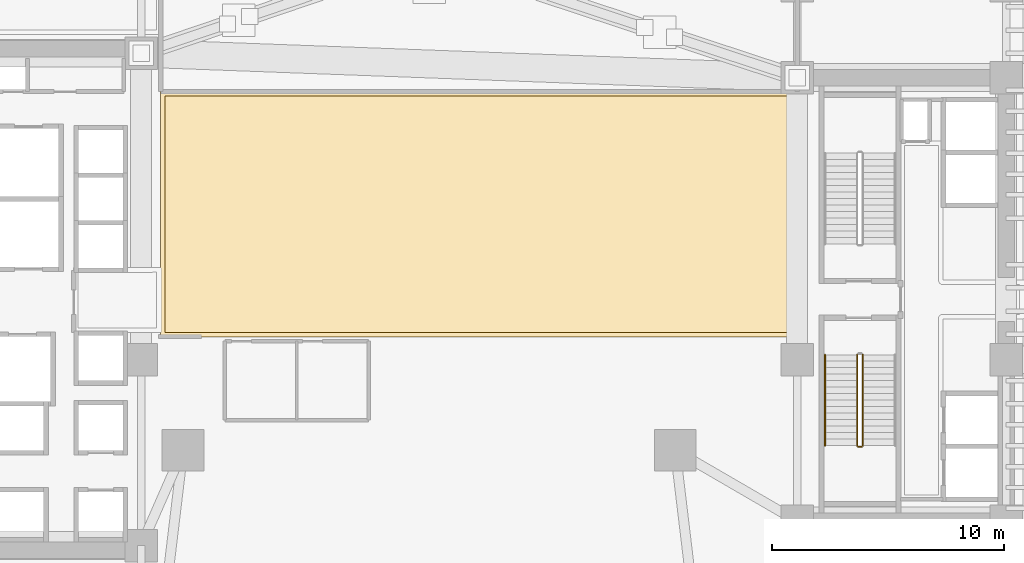
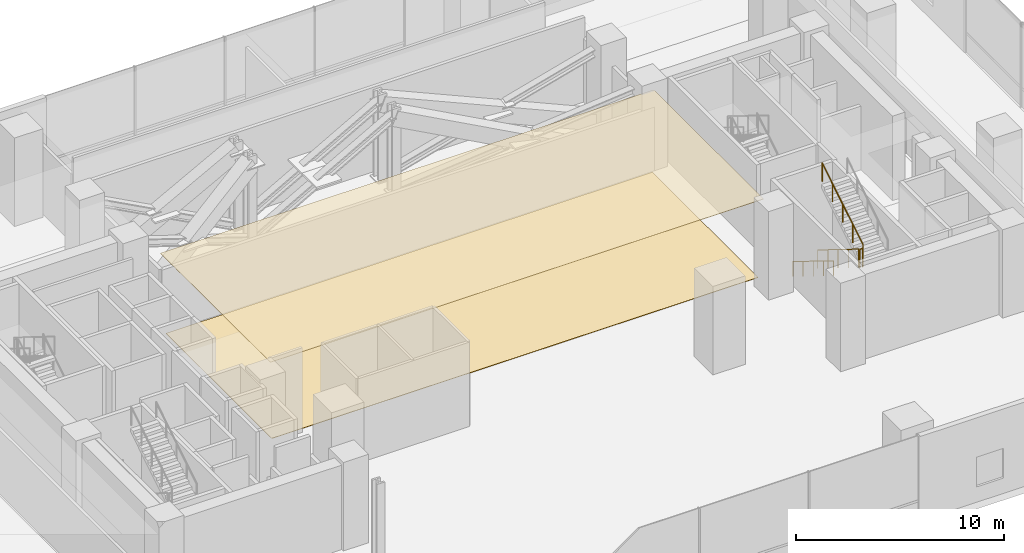
# One storey, part 36 of 41: 4 railings, 2 coverings.
"""IFC4 building model written with IfcOpenShell, lengths in metres."""

from ifc_helpers import new_model, si_unit, direction, frame, origin, origin_2d, place, context, subcontext, project, spatial, polyline, circle, outline, extrude, material, layer, layer_set, type_object, element, save


model = new_model("IFC4")

# Units and contexts
model_context = context("Model", 3, precision=1e-05, world=origin(), true_north=direction((0.0, 1.0)))
body_context = subcontext(model_context, "Body", "Model", "MODEL_VIEW")
ifc_project = project(units=[si_unit("LENGTHUNIT", "METRE"), si_unit("AREAUNIT", "SQUARE_METRE"), si_unit("VOLUMEUNIT", "CUBIC_METRE"), si_unit("PLANEANGLEUNIT", "RADIAN"), si_unit("MASSUNIT", "GRAM", prefix="KILO")], contexts=[model_context])

# Site, building, storey
site_placement = place(None, origin())
site = spatial("IfcSite", under=ifc_project, at=site_placement, CompositionType="ELEMENT")
building_placement = place(site_placement, origin())
building = spatial("IfcBuilding", under=site, at=building_placement, Name="Valdorenza Pilgrim Sanctuary Tower", CompositionType="ELEMENT")
storey_placement = place(building_placement, frame((0.0, 0.0, 20.800048828125)))
storey = spatial("IfcBuildingStorey", under=building, at=storey_placement, Name="L04", CompositionType="ELEMENT", Elevation=20.800048828125)

# Coverings
ifc_material_1 = material(Name="Micro-perforated acoustic mineral ceiling tile", Category="gypsum")
ifc_layer_1 = layer(ifc_material_1, 0.02490234375, Name="Micro-perforated acoustic mineral ceiling tile")
ifc_layer_set_1 = layer_set([ifc_layer_1], Name="Micro-perforated acoustic mineral ceiling tile")
covering_type_1 = type_object("IfcCoveringType", Name="COV-CLG-ACU", PredefinedType="CEILING", material=ifc_layer_set_1)
covering_1_placement = place(storey_placement, frame((0.0, 0.0, 4.659912109375)))
element("IfcCovering", 1, at=covering_1_placement, inside=storey, type_object=covering_type_1, Name="L04 L04 Podium Central Concourse Acoustic Ceiling", PredefinedType="CEILING", context=body_context, shape_type="SweptSolid", body=[
    extrude(outline(polyline([(-11.56298828125, -1.41455078125), (-11.56298828125, 1.344482421875), (-11.56298828125, 1.3447265625), (-11.563720703125, 1.34619140625), (-11.564208984375, 1.347412109375), (-11.564697265625, 1.34912109375), (-11.56494140625, 1.3505859375), (-11.56494140625, 1.35205078125), (-11.56494140625, 7.447998046875), (-11.56494140625, 7.449462890625), (-11.564697265625, 7.45068359375), (-11.564453125, 7.4521484375), (-11.56396484375, 7.45361328125), (-11.563232421875, 7.454833984375), (-11.56298828125, 7.455322265625), (-11.56298828125, 8.949951171875), (-11.56298828125, 8.951416015625), (-11.562744140625, 8.952880859375), (-11.5625, 8.954345703125), (-11.56201171875, 8.955810546875), (-11.561279296875, 8.95703125), (-11.560546875, 8.958251953125), (-11.5595703125, 8.95947265625), (-11.55859375, 8.960693359375), (-11.5576171875, 8.961669921875), (-11.556396484375, 8.96240234375), (-11.55517578125, 8.963134765625), (-11.5537109375, 8.9638671875), (-11.552490234375, 8.96435546875), (-11.55078125, 8.964599609375), (-11.549560546875, 8.96484375), (-11.548095703125, 8.965087890625), (15.85009765625, 8.965087890625), (15.8515625, 8.96484375), (15.852783203125, 8.964599609375), (15.8544921875, 8.96435546875), (15.855712890625, 8.9638671875), (15.857177734375, 8.963134765625), (15.8583984375, 8.96240234375), (15.859619140625, 8.961669921875), (15.860595703125, 8.960693359375), (15.861572265625, 8.95947265625), (15.862548828125, 8.958251953125), (15.86328125, 8.95703125), (15.864013671875, 8.955810546875), (15.864501953125, 8.954345703125), (15.86474609375, 8.952880859375), (15.864990234375, 8.951416015625), (15.864990234375, 8.949951171875), (15.864990234375, 0.822021484375), (15.864990234375, 0.820556640625), (15.86474609375, 0.819091796875), (15.864501953125, 0.81787109375), (15.864013671875, 0.81640625), (15.86328125, 0.815185546875), (15.863037109375, 0.814697265625), (15.863037109375, -0.814697265625), (15.86328125, -0.815185546875), (15.864013671875, -0.81640625), (15.864501953125, -0.81787109375), (15.86474609375, -0.819091796875), (15.864990234375, -0.820556640625), (15.864990234375, -0.822021484375), (15.864990234375, -1.60009765625), (15.864990234375, -1.6015625), (15.86474609375, -1.602783203125), (15.864501953125, -1.6044921875), (15.864013671875, -1.605712890625), (15.86328125, -1.607177734375), (15.862548828125, -1.6083984375), (15.861572265625, -1.609619140625), (15.860595703125, -1.610595703125), (15.859619140625, -1.611572265625), (15.8583984375, -1.612548828125), (15.857177734375, -1.61328125), (15.855712890625, -1.614013671875), (15.8544921875, -1.614501953125), (15.852783203125, -1.61474609375), (15.8515625, -1.614990234375), (15.85009765625, -1.614990234375), (-11.550048828125, -1.614990234375), (-11.551513671875, -1.614990234375), (-11.552978515625, -1.61474609375), (-11.554443359375, -1.614501953125), (-11.5556640625, -1.614013671875), (-11.55712890625, -1.61328125), (-11.558349609375, -1.612548828125), (-11.5595703125, -1.611572265625), (-11.560546875, -1.610595703125), (-11.5615234375, -1.609619140625), (-11.5625, -1.6083984375), (-11.563232421875, -1.607177734375), (-11.56396484375, -1.605712890625), (-11.564453125, -1.6044921875), (-11.564697265625, -1.602783203125), (-11.56494140625, -1.6015625), (-11.56494140625, -1.60009765625), (-11.56494140625, -1.422119140625), (-11.56494140625, -1.42041015625), (-11.564697265625, -1.4189453125), (-11.564208984375, -1.41748046875), (-11.563720703125, -1.416015625), (-11.56298828125, -1.414794921875), (-11.56298828125, -1.41455078125)])), origin(), (0.0, 0.0, 1.0), 0.025146484375),
])
ifc_material_2 = material(Name="Honed travertine stone flooring", Category="masonry")
ifc_layer_2 = layer(ifc_material_2, 0.030029296875, Name="Honed travertine stone flooring")
ifc_layer_set_2 = layer_set([ifc_layer_2], Name="Honed travertine stone flooring")
covering_type_2 = type_object("IfcCoveringType", Name="COV-FLR-TRV", PredefinedType="FLOORING", material=ifc_layer_set_2)
covering_2_placement = place(storey_placement, origin())
element("IfcCovering", 2, at=covering_2_placement, inside=storey, type_object=covering_type_2, Name="L04 L04 Podium Central Concourse Flooring", PredefinedType="FLOORING", context=body_context, shape_type="SweptSolid", body=[
    extrude(outline(polyline([(-11.367919921875, -1.419921875), (-11.367919921875, -1.419921875), (-11.367919921875, 1.35009765625), (-11.3701171875, 7.423095703125), (-11.3701171875, 7.423095703125), (-11.3701171875, 7.42333984375), (-11.3681640625, 7.44091796875), (-11.3681640625, 7.441162109375), (-11.367919921875, 7.449951171875), (-11.367919921875, 8.77001953125), (15.669921875, 8.77001953125), (15.669921875, 0.846923828125), (15.669921875, 0.8466796875), (15.669921875, 0.8466796875), (15.668212890625, 0.8291015625), (15.668212890625, 0.828857421875), (15.66796875, 0.820068359375), (15.66796875, -0.820068359375), (15.66796875, -0.820556640625), (15.66943359375, -1.419921875), (-11.367919921875, -1.419921875)])), origin(), (0.0, 0.0, 1.0), 0.02490234375),
])

# Railings
ifc_material_3 = material(Name="Stainless steel Grade 316", Category="steel")
railing_type_1 = type_object("IfcRailingType", Name="RLG-GRD-1120", PredefinedType="GUARDRAIL", material=ifc_material_3)
railing_1_placement = place(storey_placement, frame((18.429931640625, -2.3798828125, 0.17333984375)))
element("IfcRailing", 3, at=railing_1_placement, inside=storey, type_object=railing_type_1, Name="L04 ST-B2 stair guard 1", PredefinedType="GUARDRAIL", context=body_context, shape_type="SweptSolid", body=[
    extrude(circle(Radius=0.02392578125, at=origin_2d()), frame((0.0, 0.0, 1.076171875), z_axis=(0.0, -0.850289973577, 0.526314507528), x_axis=(1.0, 0.0, 0.0)), (0.0, 0.0, 1.0), 4.6103515625),
    extrude(circle(Radius=0.02099609375, at=origin_2d()), origin(), (0.0, 0.0, 1.0), 1.052001953125),
    extrude(circle(Radius=0.02099609375, at=origin_2d()), frame((0.0, -0.97998046875, 0.606689453125)), (0.0, 0.0, 1.0), 1.052001953125),
    extrude(circle(Radius=0.02099609375, at=origin_2d()), frame((0.0, -1.9599609375, 1.21337890625)), (0.0, 0.0, 1.0), 1.052001953125),
    extrude(circle(Radius=0.02099609375, at=origin_2d()), frame((0.0, -2.940185546875, 1.81982421875)), (0.0, 0.0, 1.0), 1.052001953125),
    extrude(circle(Radius=0.02099609375, at=origin_2d()), frame((0.0, -3.920166015625, 2.426513671875)), (0.0, 0.0, 1.0), 1.052001953125),
])
railing_2_placement = place(storey_placement, frame((18.47998046875, -6.35009765625, 2.599853515625)))
element("IfcRailing", 4, at=railing_2_placement, inside=storey, type_object=railing_type_1, Name="L04 ST-B2 stair guard 2", PredefinedType="GUARDRAIL", context=body_context, shape_type="SweptSolid", body=[
    extrude(circle(Radius=0.02392578125, at=origin_2d()), frame((0.0, 0.0, 1.076171875), z_axis=(1.0, 0.0, 0.0), x_axis=(0.0, 1.0, 0.0)), (0.0, 0.0, 1.0), 0.14990234375),
    extrude(circle(Radius=0.02099609375, at=origin_2d()), origin(), (0.0, 0.0, 1.0), 1.052001953125),
    extrude(circle(Radius=0.02099609375, at=origin_2d()), frame((0.14990234375, 0.0, 0.0)), (0.0, 0.0, 1.0), 1.052001953125),
])
railing_3_placement = place(storey_placement, frame((18.679931640625, -6.300048828125, 2.773193359375)))
element("IfcRailing", 5, at=railing_3_placement, inside=storey, type_object=railing_type_1, Name="L04 ST-B2 stair guard 3", PredefinedType="GUARDRAIL", context=body_context, shape_type="SweptSolid", body=[
    extrude(circle(Radius=0.02392578125, at=origin_2d()), frame((0.0, 0.0, 1.076171875), z_axis=(0.0, 0.850266275192, 0.526352791643), x_axis=(-1.0, 0.0, 0.0)), (0.0, 0.0, 1.0), 4.610595703125),
    extrude(circle(Radius=0.02099609375, at=origin_2d()), origin(), (0.0, 0.0, 1.0), 1.052001953125),
    extrude(circle(Radius=0.02099609375, at=origin_2d()), frame((0.0, 0.97998046875, 0.606689453125)), (0.0, 0.0, 1.0), 1.052001953125),
    extrude(circle(Radius=0.02099609375, at=origin_2d()), frame((0.0, 1.9599609375, 1.21337890625)), (0.0, 0.0, 1.0), 1.052001953125),
    extrude(circle(Radius=0.02099609375, at=origin_2d()), frame((0.0, 2.940185546875, 1.820068359375)), (0.0, 0.0, 1.0), 1.052001953125),
    extrude(circle(Radius=0.02099609375, at=origin_2d()), frame((0.0, 3.920166015625, 2.4267578125)), (0.0, 0.0, 1.0), 1.052001953125),
])
ifc_material_4 = material(Name="Brushed stainless steel Grade 316", Category="steel")
railing_type_2 = type_object("IfcRailingType", Name="RLG-HND-920", PredefinedType="HANDRAIL", material=ifc_material_4)
railing_4_placement = place(storey_placement, frame((17.050048828125, -2.3798828125, 0.17333984375)))
element("IfcRailing", 6, at=railing_4_placement, inside=storey, type_object=railing_type_2, Name="L04 ST-B2 stair handrail 1", PredefinedType="HANDRAIL", context=body_context, shape_type="SweptSolid", body=[
    extrude(circle(Radius=0.02392578125, at=origin_2d()), frame((0.0, 0.0, 0.8759765625), z_axis=(0.0, -0.850289973577, 0.526314507528), x_axis=(1.0, 0.0, 0.0)), (0.0, 0.0, 1.0), 4.6103515625),
    extrude(circle(Radius=0.02099609375, at=origin_2d()), origin(), (0.0, 0.0, 1.0), 0.851806640625),
    extrude(circle(Radius=0.02099609375, at=origin_2d()), frame((0.0, -0.97998046875, 0.606689453125)), (0.0, 0.0, 1.0), 0.851806640625),
    extrude(circle(Radius=0.02099609375, at=origin_2d()), frame((0.0, -1.9599609375, 1.21337890625)), (0.0, 0.0, 1.0), 0.851806640625),
    extrude(circle(Radius=0.02099609375, at=origin_2d()), frame((0.0, -2.940185546875, 1.81982421875)), (0.0, 0.0, 1.0), 0.851806640625),
    extrude(circle(Radius=0.02099609375, at=origin_2d()), frame((0.0, -3.920166015625, 2.426513671875)), (0.0, 0.0, 1.0), 0.851806640625),
])

save(model, "model.ifc")
